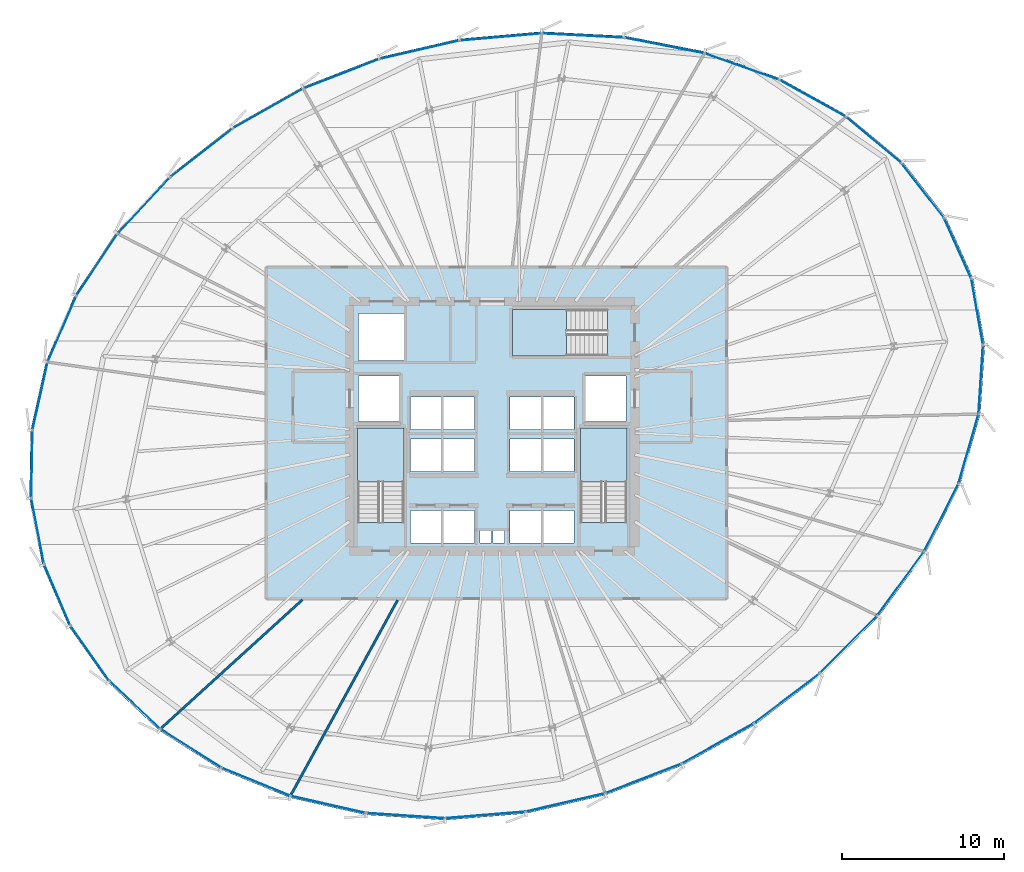
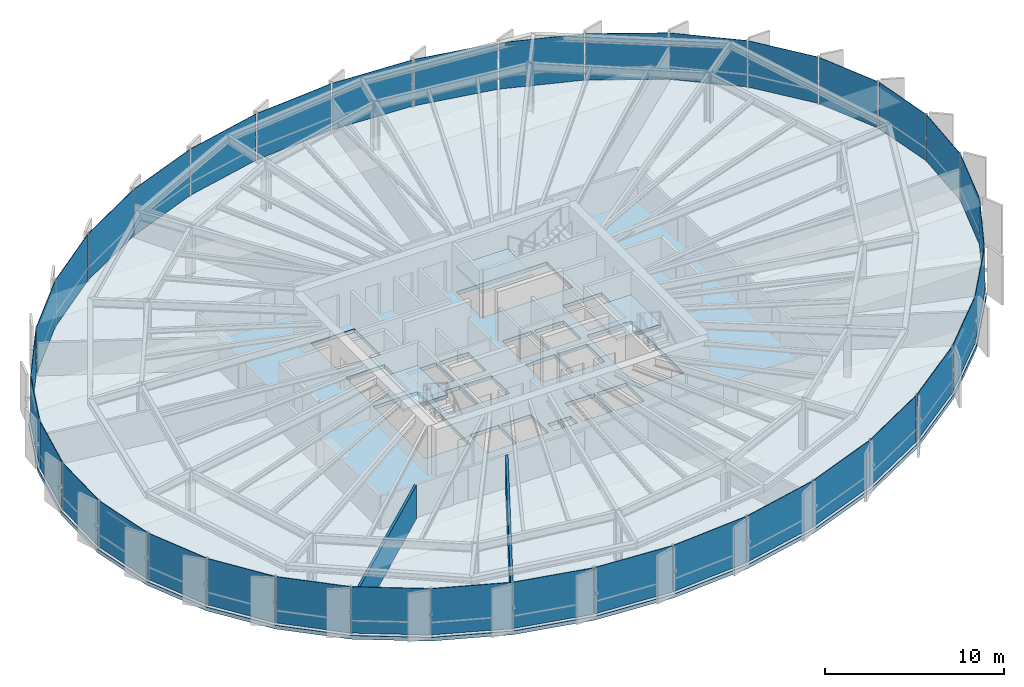
# One storey, part 28 of 35: 36 plates, 4 slabs, 2 walls, 9 elements without a shape of their own.
"""IFC4 building model written with IfcOpenShell, lengths in metres."""

from ifc_helpers import new_model, si_unit, direction, frame, frame_2d, origin, origin_2d, place, context, subcontext, project, spatial, polyline, rectangle, outline, extrude, source, transform, mapped, material, layer, layer_set, type_object, element, aggregate, save


model = new_model("IFC4")

# Units and contexts
model_context = context("Model", 3, precision=1e-05, world=origin(), true_north=direction((0.0, 1.0)))
body_context = subcontext(model_context, "Body", "Model", "MODEL_VIEW")
ifc_project = project(units=[si_unit("LENGTHUNIT", "METRE"), si_unit("AREAUNIT", "SQUARE_METRE"), si_unit("VOLUMEUNIT", "CUBIC_METRE"), si_unit("PLANEANGLEUNIT", "RADIAN"), si_unit("MASSUNIT", "GRAM", prefix="KILO"), si_unit("THERMODYNAMICTEMPERATUREUNIT", "KELVIN")], contexts=[model_context])

# Site, building, storey
site_placement = place(None, origin())
site = spatial("IfcSite", under=ifc_project, at=site_placement, CompositionType="ELEMENT")
building_placement = place(site_placement, origin())
building = spatial("IfcBuilding", under=site, at=building_placement, Name="Kethvar Cultural Tower", CompositionType="ELEMENT")
storey_placement = place(building_placement, frame((0.0, 0.0, 103.60009765625)))
storey = spatial("IfcBuildingStorey", under=building, at=storey_placement, Name="L25", CompositionType="ELEMENT", Elevation=103.60009765625)

# Stair, slab
ifc_material_1 = material(Name="Concrete C40/50", Category="concrete")
stair_type = type_object("IfcStairType", Name="ST-DOGLEG-135", PredefinedType="HALF_TURN_STAIR", material=ifc_material_1)
stair_1_placement = place(storey_placement, origin())
stair_1 = element("IfcStair", 1, at=stair_1_placement, inside=storey, type_object=stair_type, Name="L25 Core Exit Stair 1", PredefinedType="HALF_TURN_STAIR")
ifc_layer_1 = layer(ifc_material_1, 0.199951171875, Name="Concrete C40/50", Category="concrete")
ifc_layer_set_1 = layer_set([ifc_layer_1], Name="Concrete C40/50 (200 mm)")
slab_type_1 = type_object("IfcSlabType", Name="SL-STAIR-LANDING-200", PredefinedType="LANDING", material=ifc_layer_set_1)
slab_1_placement = place(storey_placement, frame((0.0, 0.0, 1.599853515625)))
slab_1 = element("IfcSlab", 2, at=slab_1_placement, type_object=slab_type_1, Name="ST-01 landing 1", PredefinedType="LANDING", context=body_context, shape_type="SweptSolid", body=[
    extrude(outline(polyline([(41.35009765625, 24.3701171875), (41.35009765625, 27.699951171875), (38.489990234375, 27.699951171875), (38.489990234375, 24.3701171875), (41.35009765625, 24.3701171875)])), origin(), (0.0, 0.0, 1.0), 0.199951171875),
])
aggregate(stair_1, [slab_1])

stair_2_placement = place(storey_placement, origin())
stair_2 = element("IfcStair", 3, at=stair_2_placement, inside=storey, type_object=stair_type, Name="L25 Core Exit Stair 2", PredefinedType="HALF_TURN_STAIR")
slab_2_placement = place(storey_placement, frame((0.0, 0.0, 1.599853515625)))
slab_2 = element("IfcSlab", 4, at=slab_2_placement, type_object=slab_type_1, Name="ST-02 landing 1", PredefinedType="LANDING", context=body_context, shape_type="SweptSolid", body=[
    extrude(outline(polyline([(55.110107421875, 24.3701171875), (55.110107421875, 27.699951171875), (52.25, 27.699951171875), (52.25, 24.3701171875), (55.110107421875, 24.3701171875)])), origin(), (0.0, 0.0, 1.0), 0.199951171875),
])
aggregate(stair_2, [slab_2])

stair_3_placement = place(storey_placement, origin())
stair_3 = element("IfcStair", 5, at=stair_3_placement, inside=storey, type_object=stair_type, Name="L25 Core Exit Stair 3", PredefinedType="HALF_TURN_STAIR")
slab_3_placement = place(storey_placement, frame((0.0, 0.0, 1.599853515625)))
slab_3 = element("IfcSlab", 6, at=slab_3_placement, type_object=slab_type_1, Name="ST-03 landing 1", PredefinedType="LANDING", context=body_context, shape_type="SweptSolid", body=[
    extrude(outline(polyline([(51.3798828125, 35.010009765625), (48.050048828125, 35.010009765625), (48.050048828125, 32.14990234375), (51.3798828125, 32.14990234375), (51.3798828125, 35.010009765625)])), origin(), (0.0, 0.0, 1.0), 0.199951171875),
])
aggregate(stair_3, [slab_3])

# Slab
ifc_layer_2 = layer(ifc_material_1, 0.25, Name="Concrete C40/50", Category="concrete")
ifc_layer_set_2 = layer_set([ifc_layer_2], Name="Concrete C40/50 (250 mm)")
slab_type_2 = type_object("IfcSlabType", Name="SL-TOW-250", PredefinedType="FLOOR", material=ifc_layer_set_2)
slab_4_placement = place(storey_placement, frame((0.0, 0.0, -0.25)))
element("IfcSlab", 7, at=slab_4_placement, inside=storey, type_object=slab_type_2, Name="L25 Structural Floor Slab", PredefinedType="FLOOR", context=body_context, shape_type="SweptSolid", body=[
    extrude(outline(polyline([(76.490478515625, 36.93408203125), (74.7802734375, 40.736572265625), (72.143798828125, 44.12255859375), (68.688720703125, 46.99755859375), (64.55859375, 49.286376953125), (59.922607421875, 50.9326171875), (54.960205078125, 51.8984375), (49.848388671875, 52.162109375), (44.74853515625, 51.7177734375), (39.794189453125, 50.572509765625), (35.076904296875, 48.742431640625), (30.7158203125, 46.276123046875), (26.843505859375, 43.24853515625), (23.577392578125, 39.75146484375), (21.016845703125, 35.891357421875), (19.239990234375, 31.78515625), (18.30029296875, 27.55810546875), (18.2265625, 23.33837890625), (19.02099609375, 19.254150390625), (20.65966796875, 15.429443359375), (23.092529296875, 11.980712890625), (26.24560546875, 9.0126953125), (30.023193359375, 6.615478515625), (34.310791015625, 4.862060546875), (38.977783203125, 3.805419921875), (43.88232421875, 3.47802734375), (48.87548828125, 3.889404296875), (53.8056640625, 5.027587890625), (58.547119140625, 6.864990234375), (63.014892578125, 9.364013671875), (67.094482421875, 12.455322265625), (70.656005859375, 16.043212890625), (73.56494140625, 20.0107421875), (75.6943359375, 24.22509765625), (76.93603515625, 28.54541015625), (77.213134765625, 32.82763671875), (76.490478515625, 36.93408203125)]), holes=[polyline([(38.489990234375, 21.85009765625), (38.489990234375, 27.699951171875), (41.35009765625, 27.699951171875), (41.35009765625, 21.85009765625), (38.489990234375, 21.85009765625)]), polyline([(52.25, 21.85009765625), (52.25, 27.699951171875), (55.110107421875, 27.699951171875), (55.110107421875, 21.85009765625), (52.25, 21.85009765625)]), polyline([(53.89990234375, 32.14990234375), (48.050048828125, 32.14990234375), (48.050048828125, 35.010009765625), (53.89990234375, 35.010009765625), (53.89990234375, 32.14990234375)]), polyline([(41.75, 22.60009765625), (43.64990234375, 22.60009765625), (43.64990234375, 20.60009765625), (41.75, 20.60009765625), (41.75, 22.60009765625)]), polyline([(43.800048828125, 22.60009765625), (45.699951171875, 22.60009765625), (45.699951171875, 20.60009765625), (43.800048828125, 20.60009765625), (43.800048828125, 22.60009765625)]), polyline([(47.89990234375, 22.60009765625), (49.800048828125, 22.60009765625), (49.800048828125, 20.60009765625), (47.89990234375, 20.60009765625), (47.89990234375, 22.60009765625)]), polyline([(49.949951171875, 22.60009765625), (51.85009765625, 22.60009765625), (51.85009765625, 20.60009765625), (49.949951171875, 20.60009765625), (49.949951171875, 22.60009765625)]), polyline([(41.75, 27.0), (43.64990234375, 27.0), (43.64990234375, 25.0), (41.75, 25.0), (41.75, 27.0)]), polyline([(43.800048828125, 27.0), (45.699951171875, 27.0), (45.699951171875, 25.0), (43.800048828125, 25.0), (43.800048828125, 27.0)]), polyline([(47.89990234375, 27.0), (49.800048828125, 27.0), (49.800048828125, 25.0), (47.89990234375, 25.0), (47.89990234375, 27.0)]), polyline([(49.949951171875, 27.0), (51.85009765625, 27.0), (51.85009765625, 25.0), (49.949951171875, 25.0), (49.949951171875, 27.0)]), polyline([(41.75, 29.60009765625), (43.64990234375, 29.60009765625), (43.64990234375, 27.60009765625), (41.75, 27.60009765625), (41.75, 29.60009765625)]), polyline([(43.800048828125, 29.60009765625), (45.699951171875, 29.60009765625), (45.699951171875, 27.60009765625), (43.800048828125, 27.60009765625), (43.800048828125, 29.60009765625)]), polyline([(47.89990234375, 29.60009765625), (49.800048828125, 29.60009765625), (49.800048828125, 27.60009765625), (47.89990234375, 27.60009765625), (47.89990234375, 29.60009765625)]), polyline([(49.949951171875, 29.60009765625), (51.85009765625, 29.60009765625), (51.85009765625, 27.60009765625), (49.949951171875, 27.60009765625), (49.949951171875, 29.60009765625)]), polyline([(38.550048828125, 30.89990234375), (41.050048828125, 30.89990234375), (41.050048828125, 28.10009765625), (38.550048828125, 28.10009765625), (38.550048828125, 30.89990234375)]), polyline([(52.550048828125, 30.89990234375), (55.050048828125, 30.89990234375), (55.050048828125, 28.10009765625), (52.550048828125, 28.10009765625), (52.550048828125, 30.89990234375)]), polyline([(38.550048828125, 34.75), (41.35009765625, 34.75), (41.35009765625, 31.85009765625), (38.550048828125, 31.85009765625), (38.550048828125, 34.75)]), polyline([(46.050048828125, 21.35009765625), (46.75, 21.35009765625), (46.75, 20.60009765625), (46.050048828125, 20.60009765625), (46.050048828125, 21.35009765625)]), polyline([(46.85009765625, 21.35009765625), (47.550048828125, 21.35009765625), (47.550048828125, 20.60009765625), (46.85009765625, 20.60009765625), (46.85009765625, 21.35009765625)])]), origin(), (0.0, 0.0, 1.0), 0.25),
])

# Curtain wall, plate
ifc_material_2 = material(Name="Aluminium 6063-T6", Category="aluminium")
ifc_layer_3 = layer(ifc_material_2, 0.179931640625, Name="Aluminium 6063-T6", Category="aluminium")
ifc_layer_set_3 = layer_set([ifc_layer_3], Name="Aluminium 6063-T6 (180 mm)")
curtain_wall_type = type_object("IfcCurtainWallType", Name="CW-SYS-03-Z2", PredefinedType="NOTDEFINED", material=ifc_layer_set_3)
curtain_wall_1_placement = place(storey_placement, origin())
curtain_wall_1 = element("IfcCurtainWall", 8, at=curtain_wall_1_placement, inside=storey, type_object=curtain_wall_type, Name="L25 Curtain Wall Run 01", PredefinedType="NOTDEFINED")
ifc_material_3 = material(Name="Insulated Low-E Solar Glass", Category="glass")
ifc_layer_4 = layer(ifc_material_3, 0.031982421875, Name="Insulated Low-E Solar Glass", Category="glass")
ifc_layer_set_4 = layer_set([ifc_layer_4], Name="Insulated Low-E Solar Glass (32 mm)")
plate_type = type_object("IfcPlateType", Name="CW-SYS-03-Z2-PNL", PredefinedType="CURTAIN_PANEL", material=ifc_layer_set_4)
shared_shape_1 = source(origin(), body_context, "Body", "SweptSolid", [
    extrude(rectangle(XDim=4.0830078125, YDim=0.031982421875, at=origin_2d()), origin(), (0.0, 0.0, 1.0), 3.14990234375),
])
plate_1_placement = place(storey_placement, frame((75.530517578125, 38.7880859375, 0.099853515625), z_axis=(0.0, 0.0, 1.0), x_axis=(-0.41019364728, 0.911998449413, 0.0)))
plate_1 = element("IfcPlate", 9, at=plate_1_placement, type_object=plate_type, Name="CW-L25-R01 Vision Glazing Panel 1", PredefinedType="CURTAIN_PANEL", context=body_context, shape_type="MappedRepresentation", body=[
    mapped(shared_shape_1, transform((0.0, 0.0, 0.0), scale=1.0)),
])

curtain_wall_2_placement = place(storey_placement, origin())
curtain_wall_2 = element("IfcCurtainWall", 10, at=curtain_wall_2_placement, inside=storey, type_object=curtain_wall_type, Name="L25 Curtain Wall Run 06", PredefinedType="NOTDEFINED")
plate_2_placement = place(storey_placement, frame((76.738525390625, 34.86083984375, 0.099853515625), z_axis=(0.0, 0.0, 1.0), x_axis=(-0.173338782623, 0.984862257597, 0.0)))
plate_2 = element("IfcPlate", 11, at=plate_2_placement, type_object=plate_type, Name="CW-L25-R06 Vision Glazing Panel 6", PredefinedType="CURTAIN_PANEL", context=body_context, shape_type="MappedRepresentation", body=[
    mapped(shared_shape_1, transform((0.0, 0.0, 0.0), scale=1.0)),
])

# Plate
shared_shape_2 = source(origin(), body_context, "Body", "SweptSolid", [
    extrude(rectangle(XDim=4.205078125, YDim=0.031982421875, at=origin_2d()), origin(), (0.0, 0.0, 1.0), 3.14990234375),
])
plate_3_placement = place(storey_placement, frame((73.371337890625, 42.35888671875, 0.099853515625), z_axis=(0.0, 0.0, 1.0), x_axis=(-0.614354058337, 0.789030475334, 0.0)))
plate_3 = element("IfcPlate", 12, at=plate_3_placement, type_object=plate_type, Name="CW-L25-R01 Vision Glazing Panel 2", PredefinedType="CURTAIN_PANEL", context=body_context, shape_type="MappedRepresentation", body=[
    mapped(shared_shape_2, transform((0.0, 0.0, 0.0), scale=1.0)),
])

plate_4_placement = place(storey_placement, frame((76.959716796875, 30.69384765625, 0.099853515625), z_axis=(0.0, 0.0, 1.0), x_axis=(0.064601975748, 0.997911110635, 0.0)))
plate_4 = element("IfcPlate", 13, at=plate_4_placement, type_object=plate_type, Name="CW-L25-R06 Vision Glazing Panel 5", PredefinedType="CURTAIN_PANEL", context=body_context, shape_type="MappedRepresentation", body=[
    mapped(shared_shape_2, transform((0.0, 0.0, 0.0), scale=1.0)),
])

shared_shape_3 = source(origin(), body_context, "Body", "SweptSolid", [
    extrude(rectangle(XDim=4.40869140625, YDim=0.031982421875, at=origin_2d()), origin(), (0.0, 0.0, 1.0), 3.14990234375),
])
plate_5_placement = place(storey_placement, frame((70.342529296875, 45.4716796875, 0.099853515625), z_axis=(0.0, 0.0, 1.0), x_axis=(-0.7686855647, 0.639626846389, 0.0)))
plate_5 = element("IfcPlate", 14, at=plate_5_placement, type_object=plate_type, Name="CW-L25-R01 Vision Glazing Panel 3", PredefinedType="CURTAIN_PANEL", context=body_context, shape_type="MappedRepresentation", body=[
    mapped(shared_shape_3, transform((0.0, 0.0, 0.0), scale=1.0)),
])

shared_shape_4 = source(origin(), body_context, "Body", "SweptSolid", [
    extrude(rectangle(XDim=4.635498046875, YDim=0.031982421875, at=origin_2d()), origin(), (0.0, 0.0, 1.0), 3.14990234375),
])
plate_6_placement = place(storey_placement, frame((66.56787109375, 48.04150390625, 0.099853515625), z_axis=(0.0, 0.0, 1.0), x_axis=(-0.874670471488, 0.484718027627, 0.0)))
plate_6 = element("IfcPlate", 15, at=plate_6_placement, type_object=plate_type, Name="CW-L25-R01 Vision Glazing Panel 4", PredefinedType="CURTAIN_PANEL", context=body_context, shape_type="MappedRepresentation", body=[
    mapped(shared_shape_4, transform((0.0, 0.0, 0.0), scale=1.0)),
])

plate_7_placement = place(storey_placement, frame((74.52685546875, 22.169921875, 0.099853515625), z_axis=(0.0, 0.0, 1.0), x_axis=(0.450955431779, 0.892546468565, 0.0)))
plate_7 = element("IfcPlate", 16, at=plate_7_placement, type_object=plate_type, Name="CW-L25-R06 Vision Glazing Panel 3", PredefinedType="CURTAIN_PANEL", context=body_context, shape_type="MappedRepresentation", body=[
    mapped(shared_shape_4, transform((0.0, 0.0, 0.0), scale=1.0)),
])

shared_shape_5 = source(origin(), body_context, "Body", "SweptSolid", [
    extrude(rectangle(XDim=4.833251953125, YDim=0.031982421875, at=origin_2d()), origin(), (0.0, 0.0, 1.0), 3.14990234375),
])
plate_8_placement = place(storey_placement, frame((62.201904296875, 50.001220703125, 0.099853515625), z_axis=(0.0, 0.0, 1.0), x_axis=(-0.942343990233, 0.334645788966, 0.0)))
plate_8 = element("IfcPlate", 17, at=plate_8_placement, type_object=plate_type, Name="CW-L25-R01 Vision Glazing Panel 5", PredefinedType="CURTAIN_PANEL", context=body_context, shape_type="MappedRepresentation", body=[
    mapped(shared_shape_5, transform((0.0, 0.0, 0.0), scale=1.0)),
])

plate_9_placement = place(storey_placement, frame((72.017578125, 18.094970703125, 0.099853515625), z_axis=(0.0, 0.0, 1.0), x_axis=(0.591309648364, 0.806444604267, 0.0)))
plate_9 = element("IfcPlate", 18, at=plate_9_placement, type_object=plate_type, Name="CW-L25-R06 Vision Glazing Panel 2", PredefinedType="CURTAIN_PANEL", context=body_context, shape_type="MappedRepresentation", body=[
    mapped(shared_shape_5, transform((0.0, 0.0, 0.0), scale=1.0)),
])

shared_shape_6 = source(origin(), body_context, "Body", "SweptSolid", [
    extrude(rectangle(XDim=4.968994140625, YDim=0.031982421875, at=origin_2d()), origin(), (0.0, 0.0, 1.0), 3.14990234375),
])
plate_10_placement = place(storey_placement, frame((57.41943359375, 51.302734375, 0.099853515625), z_axis=(0.0, 0.0, 1.0), x_axis=(-0.981583864993, 0.191031714606, 0.0)))
plate_10 = element("IfcPlate", 19, at=plate_10_placement, type_object=plate_type, Name="CW-L25-R01 Vision Glazing Panel 6", PredefinedType="CURTAIN_PANEL", context=body_context, shape_type="MappedRepresentation", body=[
    mapped(shared_shape_6, transform((0.0, 0.0, 0.0), scale=1.0)),
])

aggregate(curtain_wall_1, [plate_1, plate_3, plate_5, plate_6, plate_8, plate_10])

plate_11_placement = place(storey_placement, frame((68.793701171875, 14.330322265625, 0.099853515625), z_axis=(0.0, 0.0, 1.0), x_axis=(0.704485582363, 0.709718299217, 0.0)))
plate_11 = element("IfcPlate", 20, at=plate_11_placement, type_object=plate_type, Name="CW-L25-R06 Vision Glazing Panel 1", PredefinedType="CURTAIN_PANEL", context=body_context, shape_type="MappedRepresentation", body=[
    mapped(shared_shape_6, transform((0.0, 0.0, 0.0), scale=1.0)),
])

# Curtain wall, plates
curtain_wall_3_placement = place(storey_placement, origin())
curtain_wall_3 = element("IfcCurtainWall", 21, at=curtain_wall_3_placement, inside=storey, type_object=curtain_wall_type, Name="L25 Curtain Wall Run 02", PredefinedType="NOTDEFINED")
shared_shape_7 = source(origin(), body_context, "Body", "SweptSolid", [
    extrude(rectangle(XDim=5.031982421875, YDim=0.031982421875, at=origin_2d()), origin(), (0.0, 0.0, 1.0), 3.14990234375),
])
plate_12_placement = place(storey_placement, frame((52.3984375, 51.915283203125, 0.099853515625), z_axis=(0.0, 0.0, 1.0), x_axis=(-0.998671230905, 0.051534188286, 0.0)))
plate_12 = element("IfcPlate", 22, at=plate_12_placement, type_object=plate_type, Name="CW-L25-R02 Vision Glazing Panel 1", PredefinedType="CURTAIN_PANEL", context=body_context, shape_type="MappedRepresentation", body=[
    mapped(shared_shape_7, transform((0.0, 0.0, 0.0), scale=1.0)),
])
shared_shape_8 = source(origin(), body_context, "Body", "SweptSolid", [
    extrude(rectangle(XDim=5.032958984375, YDim=0.031982421875, at=origin_2d()), origin(), (0.0, 0.0, 1.0), 3.14990234375),
])
plate_13_placement = place(storey_placement, frame((47.308349609375, 51.825439453125, 0.099853515625), z_axis=(0.0, 0.0, 1.0), x_axis=(-0.996225060493, -0.086807999895, 0.0)))
plate_13 = element("IfcPlate", 23, at=plate_13_placement, type_object=plate_type, Name="CW-L25-R02 Vision Glazing Panel 2", PredefinedType="CURTAIN_PANEL", context=body_context, shape_type="MappedRepresentation", body=[
    mapped(shared_shape_8, transform((0.0, 0.0, 0.0), scale=1.0)),
])
shared_shape_9 = source(origin(), body_context, "Body", "SweptSolid", [
    extrude(rectangle(XDim=4.99853515625, YDim=0.031982421875, at=origin_2d()), origin(), (0.0, 0.0, 1.0), 3.14990234375),
])
plate_14_placement = place(storey_placement, frame((42.29736328125, 51.033203125, 0.099853515625), z_axis=(0.0, 0.0, 1.0), x_axis=(-0.974299346245, -0.225257150622, 0.0)))
plate_14 = element("IfcPlate", 24, at=plate_14_placement, type_object=plate_type, Name="CW-L25-R02 Vision Glazing Panel 3", PredefinedType="CURTAIN_PANEL", context=body_context, shape_type="MappedRepresentation", body=[
    mapped(shared_shape_9, transform((0.0, 0.0, 0.0), scale=1.0)),
])

# Curtain wall, plate
curtain_wall_4_placement = place(storey_placement, origin())
curtain_wall_4 = element("IfcCurtainWall", 25, at=curtain_wall_4_placement, inside=storey, type_object=curtain_wall_type, Name="L25 Curtain Wall Run 05", PredefinedType="NOTDEFINED")
plate_15_placement = place(storey_placement, frame((56.135009765625, 6.053466796875, 0.099853515625), z_axis=(0.0, 0.0, 1.0), x_axis=(0.9324436692, 0.361315379924, 0.0)))
plate_15 = element("IfcPlate", 26, at=plate_15_placement, type_object=plate_type, Name="CW-L25-R05 Vision Glazing Panel 4", PredefinedType="CURTAIN_PANEL", context=body_context, shape_type="MappedRepresentation", body=[
    mapped(shared_shape_9, transform((0.0, 0.0, 0.0), scale=1.0)),
])

# Plate
shared_shape_10 = source(origin(), body_context, "Body", "SweptSolid", [
    extrude(rectangle(XDim=4.973388671875, YDim=0.031982421875, at=origin_2d()), origin(), (0.0, 0.0, 1.0), 3.14990234375),
])
plate_16_placement = place(storey_placement, frame((37.477294921875, 49.55029296875, 0.099853515625), z_axis=(0.0, 0.0, 1.0), x_axis=(-0.932311177569, -0.361657114102, 0.0)))
plate_16 = element("IfcPlate", 27, at=plate_16_placement, type_object=plate_type, Name="CW-L25-R02 Vision Glazing Panel 4", PredefinedType="CURTAIN_PANEL", context=body_context, shape_type="MappedRepresentation", body=[
    mapped(shared_shape_10, transform((0.0, 0.0, 0.0), scale=1.0)),
])

plate_17_placement = place(storey_placement, frame((51.314697265625, 4.570556640625, 0.099853515625), z_axis=(0.0, 0.0, 1.0), x_axis=(0.974373990773, 0.224934048344, 0.0)))
plate_17 = element("IfcPlate", 28, at=plate_17_placement, type_object=plate_type, Name="CW-L25-R05 Vision Glazing Panel 3", PredefinedType="CURTAIN_PANEL", context=body_context, shape_type="MappedRepresentation", body=[
    mapped(shared_shape_10, transform((0.0, 0.0, 0.0), scale=1.0)),
])

shared_shape_11 = source(origin(), body_context, "Body", "SweptSolid", [
    extrude(rectangle(XDim=4.923828125, YDim=0.031982421875, at=origin_2d()), origin(), (0.0, 0.0, 1.0), 3.14990234375),
])
plate_18_placement = place(storey_placement, frame((32.952880859375, 47.4091796875, 0.099853515625), z_axis=(0.0, 0.0, 1.0), x_axis=(-0.870450218436, -0.492256454731, 0.0)))
plate_18 = element("IfcPlate", 29, at=plate_18_placement, type_object=plate_type, Name="CW-L25-R02 Vision Glazing Panel 5", PredefinedType="CURTAIN_PANEL", context=body_context, shape_type="MappedRepresentation", body=[
    mapped(shared_shape_11, transform((0.0, 0.0, 0.0), scale=1.0)),
])

shared_shape_12 = source(origin(), body_context, "Body", "SweptSolid", [
    extrude(rectangle(XDim=4.8291015625, YDim=0.031982421875, at=origin_2d()), origin(), (0.0, 0.0, 1.0), 3.14990234375),
])
plate_19_placement = place(storey_placement, frame((28.8505859375, 44.671875, 0.099853515625), z_axis=(0.0, 0.0, 1.0), x_axis=(-0.787795799206, -0.615936505456, 0.0)))
plate_19 = element("IfcPlate", 30, at=plate_19_placement, type_object=plate_type, Name="CW-L25-R02 Vision Glazing Panel 6", PredefinedType="CURTAIN_PANEL", context=body_context, shape_type="MappedRepresentation", body=[
    mapped(shared_shape_12, transform((0.0, 0.0, 0.0), scale=1.0)),
])

aggregate(curtain_wall_3, [plate_12, plate_13, plate_14, plate_16, plate_18, plate_19])

plate_20_placement = place(storey_placement, frame((41.437744140625, 3.756591796875, 0.099853515625), z_axis=(0.0, 0.0, 1.0), x_axis=(0.997778273548, -0.066622194773, 0.0)))
plate_20 = element("IfcPlate", 31, at=plate_20_placement, type_object=plate_type, Name="CW-L25-R05 Vision Glazing Panel 1", PredefinedType="CURTAIN_PANEL", context=body_context, shape_type="MappedRepresentation", body=[
    mapped(shared_shape_12, transform((0.0, 0.0, 0.0), scale=1.0)),
])

# Curtain wall, plates
curtain_wall_5_placement = place(storey_placement, origin())
curtain_wall_5 = element("IfcCurtainWall", 32, at=curtain_wall_5_placement, inside=storey, type_object=curtain_wall_type, Name="L25 Curtain Wall Run 03", PredefinedType="NOTDEFINED")
shared_shape_13 = source(origin(), body_context, "Body", "SweptSolid", [
    extrude(rectangle(XDim=4.698486328125, YDim=0.031982421875, at=origin_2d()), origin(), (0.0, 0.0, 1.0), 3.14990234375),
])
plate_21_placement = place(storey_placement, frame((25.29443359375, 41.42138671875, 0.099853515625), z_axis=(0.0, 0.0, 1.0), x_axis=(-0.682547042741, -0.730841661679, 0.0)))
plate_21 = element("IfcPlate", 33, at=plate_21_placement, type_object=plate_type, Name="CW-L25-R03 Vision Glazing Panel 1", PredefinedType="CURTAIN_PANEL", context=body_context, shape_type="MappedRepresentation", body=[
    mapped(shared_shape_13, transform((0.0, 0.0, 0.0), scale=1.0)),
])
shared_shape_14 = source(origin(), body_context, "Body", "SweptSolid", [
    extrude(rectangle(XDim=4.5458984375, YDim=0.031982421875, at=origin_2d()), origin(), (0.0, 0.0, 1.0), 3.14990234375),
])
plate_22_placement = place(storey_placement, frame((22.39306640625, 37.7578125, 0.099853515625), z_axis=(0.0, 0.0, 1.0), x_axis=(-0.55276629308, -0.833336321802, 0.0)))
plate_22 = element("IfcPlate", 34, at=plate_22_placement, type_object=plate_type, Name="CW-L25-R03 Vision Glazing Panel 2", PredefinedType="CURTAIN_PANEL", context=body_context, shape_type="MappedRepresentation", body=[
    mapped(shared_shape_14, transform((0.0, 0.0, 0.0), scale=1.0)),
])

# Curtain wall, plate
curtain_wall_6_placement = place(storey_placement, origin())
curtain_wall_6 = element("IfcCurtainWall", 35, at=curtain_wall_6_placement, inside=storey, type_object=curtain_wall_type, Name="L25 Curtain Wall Run 04", PredefinedType="NOTDEFINED")
plate_23_placement = place(storey_placement, frame((32.21044921875, 5.84521484375, 0.099853515625), z_axis=(0.0, 0.0, 1.0), x_axis=(0.925580150933, -0.378551692902, 0.0)))
plate_23 = element("IfcPlate", 36, at=plate_23_placement, type_object=plate_type, Name="CW-L25-R04 Vision Glazing Panel 5", PredefinedType="CURTAIN_PANEL", context=body_context, shape_type="MappedRepresentation", body=[
    mapped(shared_shape_14, transform((0.0, 0.0, 0.0), scale=1.0)),
])

# Plate
shared_shape_15 = source(origin(), body_context, "Body", "SweptSolid", [
    extrude(rectangle(XDim=4.3876953125, YDim=0.031982421875, at=origin_2d()), origin(), (0.0, 0.0, 1.0), 3.14990234375),
])
plate_24_placement = place(storey_placement, frame((20.23388671875, 33.79248046875, 0.099853515625), z_axis=(0.0, 0.0, 1.0), x_axis=(-0.397179926073, -0.917740762048, 0.0)))
plate_24 = element("IfcPlate", 37, at=plate_24_placement, type_object=plate_type, Name="CW-L25-R03 Vision Glazing Panel 3", PredefinedType="CURTAIN_PANEL", context=body_context, shape_type="MappedRepresentation", body=[
    mapped(shared_shape_15, transform((0.0, 0.0, 0.0), scale=1.0)),
])

plate_25_placement = place(storey_placement, frame((28.196044921875, 7.911376953125, 0.099853515625), z_axis=(0.0, 0.0, 1.0), x_axis=(0.844346628871, -0.535797322048, 0.0)))
plate_25 = element("IfcPlate", 38, at=plate_25_placement, type_object=plate_type, Name="CW-L25-R04 Vision Glazing Panel 4", PredefinedType="CURTAIN_PANEL", context=body_context, shape_type="MappedRepresentation", body=[
    mapped(shared_shape_15, transform((0.0, 0.0, 0.0), scale=1.0)),
])

shared_shape_16 = source(origin(), body_context, "Body", "SweptSolid", [
    extrude(rectangle(XDim=4.243896484375, YDim=0.031982421875, at=origin_2d()), origin(), (0.0, 0.0, 1.0), 3.14990234375),
])
plate_26_placement = place(storey_placement, frame((18.88232421875, 29.646728515625, 0.099853515625), z_axis=(0.0, 0.0, 1.0), x_axis=(-0.216984846706, -0.976174972174, 0.0)))
plate_26 = element("IfcPlate", 39, at=plate_26_placement, type_object=plate_type, Name="CW-L25-R03 Vision Glazing Panel 4", PredefinedType="CURTAIN_PANEL", context=body_context, shape_type="MappedRepresentation", body=[
    mapped(shared_shape_16, transform((0.0, 0.0, 0.0), scale=1.0)),
])

plate_27_placement = place(storey_placement, frame((24.747802734375, 10.58056640625, 0.099853515625), z_axis=(0.0, 0.0, 1.0), x_axis=(0.728155677357, -0.685411780999, 0.0)))
plate_27 = element("IfcPlate", 40, at=plate_27_placement, type_object=plate_type, Name="CW-L25-R04 Vision Glazing Panel 3", PredefinedType="CURTAIN_PANEL", context=body_context, shape_type="MappedRepresentation", body=[
    mapped(shared_shape_16, transform((0.0, 0.0, 0.0), scale=1.0)),
])

shared_shape_17 = source(origin(), body_context, "Body", "SweptSolid", [
    extrude(rectangle(XDim=4.134033203125, YDim=0.031982421875, at=origin_2d()), origin(), (0.0, 0.0, 1.0), 3.14990234375),
])
plate_28_placement = place(storey_placement, frame((18.37841796875, 25.4462890625, 0.099853515625), z_axis=(0.0, 0.0, 1.0), x_axis=(-0.017469857069, -0.999847390402, 0.0)))
plate_28 = element("IfcPlate", 41, at=plate_28_placement, type_object=plate_type, Name="CW-L25-R03 Vision Glazing Panel 5", PredefinedType="CURTAIN_PANEL", context=body_context, shape_type="MappedRepresentation", body=[
    mapped(shared_shape_17, transform((0.0, 0.0, 0.0), scale=1.0)),
])

plate_29_placement = place(storey_placement, frame((21.97021484375, 13.771484375, 0.099853515625), z_axis=(0.0, 0.0, 1.0), x_axis=(0.57643231617, -0.817144898335, 0.0)))
plate_29 = element("IfcPlate", 42, at=plate_29_placement, type_object=plate_type, Name="CW-L25-R04 Vision Glazing Panel 2", PredefinedType="CURTAIN_PANEL", context=body_context, shape_type="MappedRepresentation", body=[
    mapped(shared_shape_17, transform((0.0, 0.0, 0.0), scale=1.0)),
])

shared_shape_18 = source(origin(), body_context, "Body", "SweptSolid", [
    extrude(rectangle(XDim=4.074462890625, YDim=0.031982421875, at=origin_2d()), origin(), (0.0, 0.0, 1.0), 3.14990234375),
])
plate_30_placement = place(storey_placement, frame((18.73681640625, 21.318115234375, 0.099853515625), z_axis=(0.0, 0.0, 1.0), x_axis=(0.190946054527, -0.981600531917, 0.0)))
plate_30 = element("IfcPlate", 43, at=plate_30_placement, type_object=plate_type, Name="CW-L25-R03 Vision Glazing Panel 6", PredefinedType="CURTAIN_PANEL", context=body_context, shape_type="MappedRepresentation", body=[
    mapped(shared_shape_18, transform((0.0, 0.0, 0.0), scale=1.0)),
])

aggregate(curtain_wall_5, [plate_21, plate_22, plate_24, plate_26, plate_28, plate_30])

plate_31_placement = place(storey_placement, frame((19.946044921875, 17.38720703125, 0.099853515625), z_axis=(0.0, 0.0, 1.0), x_axis=(0.393813570248, -0.919190334963, 0.0)))
plate_31 = element("IfcPlate", 44, at=plate_31_placement, type_object=plate_type, Name="CW-L25-R04 Vision Glazing Panel 1", PredefinedType="CURTAIN_PANEL", context=body_context, shape_type="MappedRepresentation", body=[
    mapped(shared_shape_18, transform((0.0, 0.0, 0.0), scale=1.0)),
])

shared_shape_19 = source(origin(), body_context, "Body", "SweptSolid", [
    extrude(rectangle(XDim=4.69873046875, YDim=0.031982421875, at=origin_2d()), origin(), (0.0, 0.0, 1.0), 3.14990234375),
])
plate_32_placement = place(storey_placement, frame((36.669677734375, 4.44580078125, 0.099853515625), z_axis=(0.0, 0.0, 1.0), x_axis=(0.975315349951, -0.220816593918, 0.0)))
plate_32 = element("IfcPlate", 45, at=plate_32_placement, type_object=plate_type, Name="CW-L25-R04 Vision Glazing Panel 6", PredefinedType="CURTAIN_PANEL", context=body_context, shape_type="MappedRepresentation", body=[
    mapped(shared_shape_19, transform((0.0, 0.0, 0.0), scale=1.0)),
])

aggregate(curtain_wall_6, [plate_31, plate_29, plate_27, plate_25, plate_23, plate_32])

shared_shape_20 = source(origin(), body_context, "Body", "SweptSolid", [
    extrude(rectangle(XDim=4.923583984375, YDim=0.031982421875, at=origin_2d()), origin(), (0.0, 0.0, 1.0), 3.14990234375),
])
plate_33_placement = place(storey_placement, frame((46.369384765625, 3.79833984375, 0.099853515625), z_axis=(0.0, 0.0, 1.0), x_axis=(0.996621637386, 0.082129847761, 0.0)))
plate_33 = element("IfcPlate", 46, at=plate_33_placement, type_object=plate_type, Name="CW-L25-R05 Vision Glazing Panel 2", PredefinedType="CURTAIN_PANEL", context=body_context, shape_type="MappedRepresentation", body=[
    mapped(shared_shape_20, transform((0.0, 0.0, 0.0), scale=1.0)),
])

shared_shape_21 = source(origin(), body_context, "Body", "SweptSolid", [
    extrude(rectangle(XDim=5.03271484375, YDim=0.031982421875, at=origin_2d()), origin(), (0.0, 0.0, 1.0), 3.14990234375),
])
plate_34_placement = place(storey_placement, frame((60.724853515625, 8.21484375, 0.099853515625), z_axis=(0.0, 0.0, 1.0), x_axis=(0.872743208737, 0.488179569015, 0.0)))
plate_34 = element("IfcPlate", 47, at=plate_34_placement, type_object=plate_type, Name="CW-L25-R05 Vision Glazing Panel 5", PredefinedType="CURTAIN_PANEL", context=body_context, shape_type="MappedRepresentation", body=[
    mapped(shared_shape_21, transform((0.0, 0.0, 0.0), scale=1.0)),
])

shared_shape_22 = source(origin(), body_context, "Body", "SweptSolid", [
    extrude(rectangle(XDim=5.0322265625, YDim=0.031982421875, at=origin_2d()), origin(), (0.0, 0.0, 1.0), 3.14990234375),
])
plate_35_placement = place(storey_placement, frame((64.9853515625, 11.00146484375, 0.099853515625), z_axis=(0.0, 0.0, 1.0), x_axis=(0.797015064542, 0.603959424873, 0.0)))
plate_35 = element("IfcPlate", 48, at=plate_35_placement, type_object=plate_type, Name="CW-L25-R05 Vision Glazing Panel 6", PredefinedType="CURTAIN_PANEL", context=body_context, shape_type="MappedRepresentation", body=[
    mapped(shared_shape_22, transform((0.0, 0.0, 0.0), scale=1.0)),
])

aggregate(curtain_wall_4, [plate_20, plate_33, plate_17, plate_15, plate_34, plate_35])

shared_shape_23 = source(origin(), body_context, "Body", "SweptSolid", [
    extrude(rectangle(XDim=4.408447265625, YDim=0.031982421875, at=origin_2d()), origin(), (0.0, 0.0, 1.0), 3.14990234375),
])
plate_36_placement = place(storey_placement, frame((76.20458984375, 26.4169921875, 0.099853515625), z_axis=(0.0, 0.0, 1.0), x_axis=(0.276241279905, 0.961088318146, 0.0)))
plate_36 = element("IfcPlate", 49, at=plate_36_placement, type_object=plate_type, Name="CW-L25-R06 Vision Glazing Panel 4", PredefinedType="CURTAIN_PANEL", context=body_context, shape_type="MappedRepresentation", body=[
    mapped(shared_shape_23, transform((0.0, 0.0, 0.0), scale=1.0)),
])

aggregate(curtain_wall_2, [plate_11, plate_9, plate_7, plate_36, plate_4, plate_2])

# Walls
ifc_material_4 = material(Name="Gypsum Acoustic Partition")
ifc_layer_5 = layer(ifc_material_4, 0.14990234375, Name="Gypsum Acoustic Partition")
ifc_layer_set_5 = layer_set([ifc_layer_5], Name="Gypsum Acoustic Partition (150 mm)")
wall_type = type_object("IfcWallType", Name="WL-PART-150", PredefinedType="PARTITIONING", material=ifc_layer_set_5)
wall_1_placement = place(storey_placement, frame((35.078125, 17.086181640625, 0.0), z_axis=(0.0, 0.0, 1.0), x_axis=(-0.739815961322, -0.672809291979, 0.0)))
element("IfcWall", 50, at=wall_1_placement, inside=storey, type_object=wall_type, Name="L25 Radial Partition Wall 01", PredefinedType="PARTITIONING", context=body_context, shape_type="SweptSolid", body=[
    extrude(rectangle(XDim=11.75048828125, YDim=0.14990234375, at=frame_2d((5.875244140625, 0.0))), origin(), (0.0, 0.0, 1.0), 2.27978515625),
])
wall_2_placement = place(storey_placement, frame((40.95751953125, 17.06982421875, 0.0), z_axis=(0.0, 0.0, 1.0), x_axis=(-0.480174097986, -0.877173207311, 0.0)))
element("IfcWall", 51, at=wall_2_placement, inside=storey, type_object=wall_type, Name="L25 Radial Partition Wall 02", PredefinedType="PARTITIONING", context=body_context, shape_type="SweptSolid", body=[
    extrude(rectangle(XDim=13.684326171875, YDim=0.14990234375, at=frame_2d((6.84228515625, 0.0))), origin(), (0.0, 0.0, 1.0), 2.27978515625),
])

save(model, "model.ifc")
